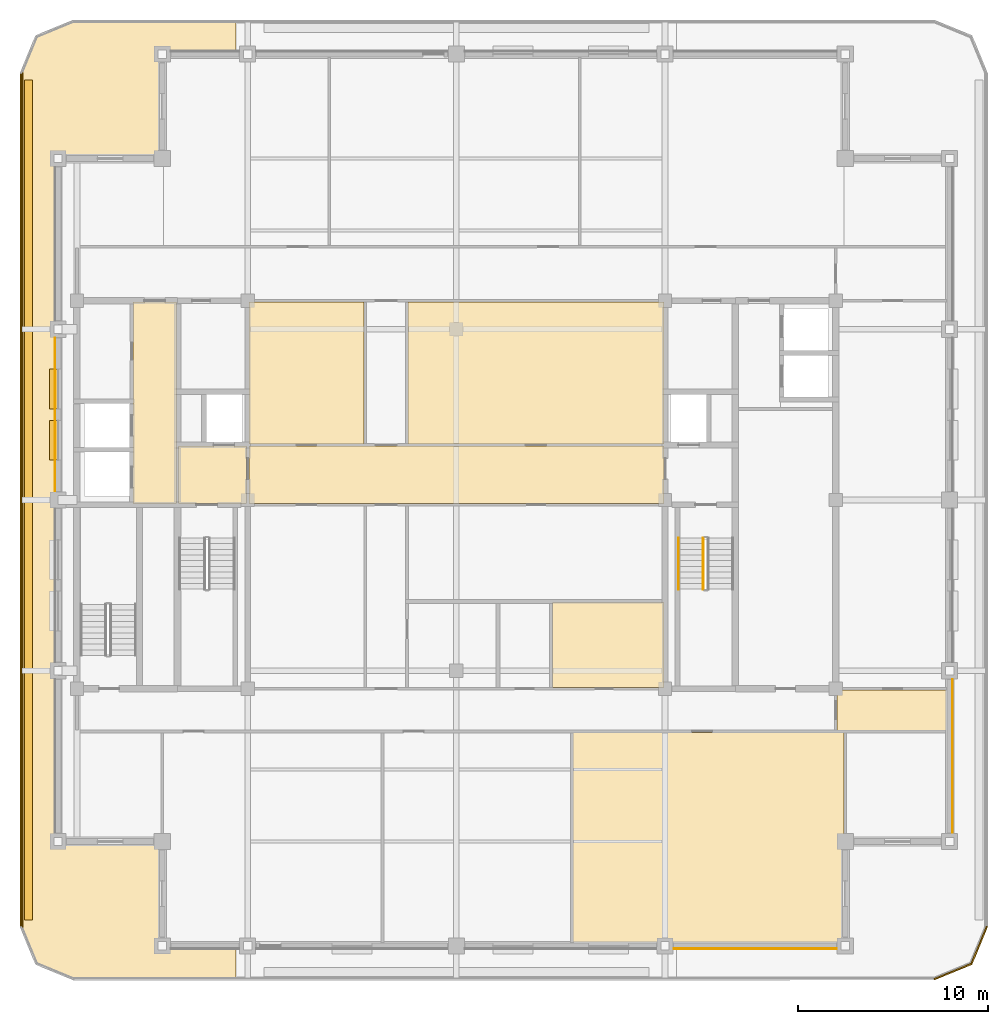
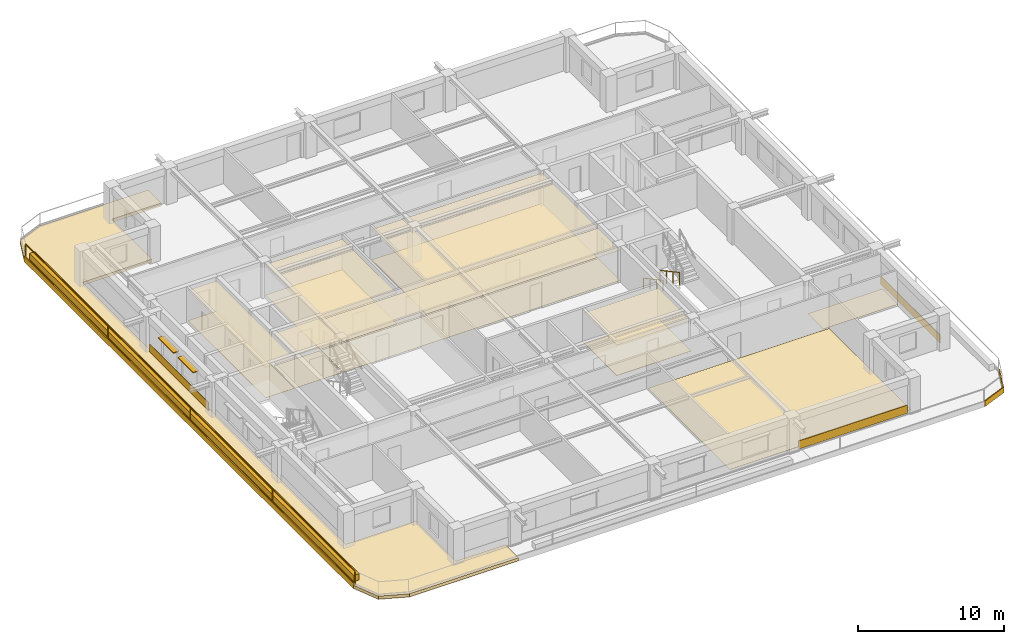
# One storey, part 9 of 11: 22 coverings, 3 railings, 2 shading devices.
"""IFC4 building model written with IfcOpenShell, lengths in metres."""

from ifc_helpers import new_model, si_unit, direction, frame, frame_2d, origin, origin_2d, place, context, subcontext, project, spatial, polyline, rectangle, outline, extrude, material, layer, layer_set, type_object, element, save


model = new_model("IFC4")

# Units and contexts
model_context = context("Model", 3, precision=1e-05, world=origin(), true_north=direction((0.0, 1.0)))
body_context = subcontext(model_context, "Body", "Model", "MODEL_VIEW")
ifc_project = project(units=[si_unit("LENGTHUNIT", "METRE"), si_unit("AREAUNIT", "SQUARE_METRE"), si_unit("VOLUMEUNIT", "CUBIC_METRE"), si_unit("PLANEANGLEUNIT", "RADIAN"), si_unit("MASSUNIT", "GRAM", prefix="KILO")], contexts=[model_context])

# Site, building, storey
site_placement = place(None, origin())
site = spatial("IfcSite", under=ifc_project, at=site_placement, CompositionType="ELEMENT")
building_placement = place(site_placement, origin())
building = spatial("IfcBuilding", under=site, at=building_placement, Name="Zulmaris Gate Convention Tower", CompositionType="ELEMENT")
storey_placement = place(building_placement, frame((0.0, 0.0, 236.510009765625)))
storey = spatial("IfcBuildingStorey", under=building, at=storey_placement, Name="L62", CompositionType="ELEMENT", Elevation=236.510009765625)

# Coverings
ifc_material_1 = material(Name="Precast concrete C40/50", Category="concrete")
ifc_layer_1 = layer(ifc_material_1, 0.0400390625, Name="Precast concrete C40/50")
ifc_layer_set_1 = layer_set([ifc_layer_1], Name="Precast concrete C40/50")
covering_type_1 = type_object("IfcCoveringType", Name="CLAD-SPANDREL-PRECAST", PredefinedType="CLADDING", material=ifc_layer_set_1)
covering_1_placement = place(storey_placement, frame((11.455078125, -23.64990234375, 0.0), z_axis=(0.0, 0.0, 1.0), x_axis=(1.0, 0.0, 0.0)))
element("IfcCovering", 1, at=covering_1_placement, inside=storey, type_object=covering_type_1, Name="CLD-L62-S-3_0", PredefinedType="CLADDING", context=body_context, shape_type="SweptSolid", body=[
    extrude(rectangle(XDim=8.58984375, YDim=0.0400390625, at=frame_2d((4.294921875, 0.0))), origin(), (0.0, 0.0, 1.0), 0.679931640625),
])
for number, where, z_axis, x_axis, name in (
    (2, (26.14990234375, -17.544921875, 0.0), (0.0, 0.0, 1.0), (0.0, 1.0, 0.0), "CLD-L62-E-0_0"),
    (3, (-21.14990234375, 8.544921875, 0.0), (0.0, 0.0, 1.0), (0.0, -1.0, 0.0), "CLD-L62-W-2_0"),
):
    element("IfcCovering", number, at=place(storey_placement, frame(where, z_axis=z_axis, x_axis=x_axis)), inside=storey, type_object=covering_type_1, Name=name, PredefinedType="CLADDING", context=body_context, shape_type="SweptSolid", body=[
        extrude(rectangle(XDim=8.08984375, YDim=0.0400390625, at=frame_2d((4.044921875, 0.0))), origin(), (0.0, 0.0, 1.0), 0.679931640625),
    ])
ifc_material_2 = material(Name="White Glazed Architectural Precast Concrete C40/50", Category="concrete")
ifc_layer_2 = layer(ifc_material_2, 0.239990234375, Name="White Glazed Architectural Precast Concrete C40/50")
ifc_layer_set_2 = layer_set([ifc_layer_2], Name="White Glazed Architectural Precast Concrete C40/50")
covering_type_2 = type_object("IfcCoveringType", Name="CLAD-TRAY-DECK", PredefinedType="CLADDING", material=ifc_layer_set_2)
covering_2_placement = place(storey_placement, frame((0.0, 0.0, -0.25)))
element("IfcCovering", 4, at=covering_2_placement, inside=storey, type_object=covering_type_2, Name="L62 West Rounded-Fascia Planter Tray Deck", PredefinedType="CLADDING", context=body_context, shape_type="SweptSolid", body=[
    extrude(outline(polyline([(-23.0, 22.5), (-22.179931640625, 24.47998046875), (-20.199951171875, 25.300048828125), (-11.60205078125, 25.300048828125), (-11.60205078125, 23.5), (-15.5, 23.5), (-15.5, 18.0), (-21.0, 18.0), (-21.0, -18.0), (-15.5, -18.0), (-15.5, -23.5), (-11.60205078125, -23.5), (-11.60205078125, -25.300048828125), (-20.199951171875, -25.300048828125), (-22.179931640625, -24.47998046875), (-23.0, -22.5), (-23.0, 22.5)])), origin(), (0.0, 0.0, 1.0), 0.260009765625),
])
ifc_layer_3 = layer(ifc_material_2, 0.080078125, Name="White Glazed Architectural Precast Concrete C40/50")
ifc_layer_set_3 = layer_set([ifc_layer_3], Name="White Glazed Architectural Precast Concrete C40/50")
covering_type_3 = type_object("IfcCoveringType", Name="CLAD-TRAY-FASCIA", PredefinedType="CLADDING", material=ifc_layer_set_3)
covering_3_placement = place(storey_placement, frame((25.184814453125, -25.262939453125, -0.2900390625), z_axis=(0.0, 0.0, 1.0), x_axis=(0.923873803533, 0.382697263049, 0.0)))
element("IfcCovering", 5, at=covering_3_placement, inside=storey, type_object=covering_type_3, Name="FSC-L62-TR-03", PredefinedType="CLADDING", context=body_context, shape_type="SweptSolid", body=[
    extrude(rectangle(XDim=2.142822265625, YDim=0.080078125, at=frame_2d((1.0712890625, 0.0))), origin(), (0.0, 0.0, 1.0), 0.4599609375),
])
covering_4_placement = place(storey_placement, frame((27.142822265625, -24.464599609375, -0.2900390625), z_axis=(0.0, 0.0, 1.0), x_axis=(0.382656984709, 0.923890487046, 0.0)))
element("IfcCovering", 6, at=covering_4_placement, inside=storey, type_object=covering_type_3, Name="FSC-L62-TR-04", PredefinedType="CLADDING", context=body_context, shape_type="SweptSolid", body=[
    extrude(rectangle(XDim=2.14306640625, YDim=0.080078125, at=frame_2d((1.071533203125, 0.0))), origin(), (0.0, 0.0, 1.0), 0.4599609375),
])
covering_5_placement = place(storey_placement, frame((-22.9599609375, 22.5, -0.2900390625), z_axis=(0.0, 0.0, 1.0), x_axis=(0.0, -1.0, 0.0)))
element("IfcCovering", 7, at=covering_5_placement, inside=storey, type_object=covering_type_3, Name="FSC-L62-TR-11", PredefinedType="CLADDING", context=body_context, shape_type="SweptSolid", body=[
    extrude(rectangle(XDim=45.0, YDim=0.080078125, at=frame_2d((22.5, 0.0))), origin(), (0.0, 0.0, 1.0), 0.4599609375),
])
ifc_material_3 = material(Name="Mineral Fibre Acoustic Ceiling Tile")
ifc_layer_4 = layer(ifc_material_3, 0.02001953125, Name="Mineral Fibre Acoustic Ceiling Tile")
ifc_layer_set_4 = layer_set([ifc_layer_4], Name="Mineral Fibre Acoustic Ceiling Tile")
covering_type_4 = type_object("IfcCoveringType", Name="CLG-ACOUSTIC-600", PredefinedType="CEILING", material=ifc_layer_set_4)
covering_6_placement = place(storey_placement, frame((0.0, 0.0, 2.699951171875)))
element("IfcCovering", 8, at=covering_6_placement, inside=storey, type_object=covering_type_4, Name="CLG-L62-R03", PredefinedType="CEILING", context=body_context, shape_type="SweptSolid", body=[
    extrude(outline(polyline([(-14.639892578125, -0.18994140625), (-11.06005859375, -0.18994140625), (-11.06005859375, 2.840087890625), (-14.639892578125, 2.840087890625), (-14.639892578125, -0.18994140625)])), origin(), (0.0, 0.0, 1.0), 0.02001953125),
])
covering_7_placement = place(storey_placement, frame((0.0, 0.0, 2.5380859375)))
element("IfcCovering", 9, at=covering_7_placement, inside=storey, type_object=covering_type_4, Name="CLG-L62-R17", PredefinedType="CEILING", context=body_context, shape_type="SweptSolid", body=[
    extrude(outline(polyline([(-17.0400390625, -0.18994140625), (-14.760009765625, -0.18994140625), (-14.760009765625, 10.43994140625), (-17.0400390625, 10.43994140625), (-17.0400390625, -0.18994140625)])), origin(), (0.0, 0.0, 1.0), 0.02001953125),
])
covering_8_placement = place(storey_placement, frame((0.0, 0.0, 2.5380859375)))
element("IfcCovering", 10, at=covering_8_placement, inside=storey, type_object=covering_type_4, Name="CLG-L62-R27", PredefinedType="CEILING", context=body_context, shape_type="SweptSolid", body=[
    extrude(outline(polyline([(-10.93994140625, -0.18994140625), (10.93994140625, -0.18994140625), (10.93994140625, 2.840087890625), (-10.93994140625, 2.840087890625), (-10.93994140625, -0.18994140625)])), origin(), (0.0, 0.0, 1.0), 0.02001953125),
])
covering_9_placement = place(storey_placement, frame((0.0, 0.0, 2.5380859375)))
element("IfcCovering", 11, at=covering_9_placement, inside=storey, type_object=covering_type_4, Name="CLG-L62-R36", PredefinedType="CEILING", context=body_context, shape_type="SweptSolid", body=[
    extrude(outline(polyline([(-10.93994140625, 2.9599609375), (-4.860107421875, 2.9599609375), (-4.860107421875, 10.43994140625), (-10.93994140625, 10.43994140625), (-10.93994140625, 2.9599609375)])), origin(), (0.0, 0.0, 1.0), 0.02001953125),
])
covering_10_placement = place(storey_placement, frame((0.0, 0.0, 2.5380859375)))
element("IfcCovering", 12, at=covering_10_placement, inside=storey, type_object=covering_type_4, Name="CLG-L62-R37", PredefinedType="CEILING", context=body_context, shape_type="SweptSolid", body=[
    extrude(outline(polyline([(-2.5400390625, 2.9599609375), (10.93994140625, 2.9599609375), (10.93994140625, 10.43994140625), (-2.5400390625, 10.43994140625), (-2.5400390625, 2.9599609375)])), origin(), (0.0, 0.0, 1.0), 0.02001953125),
])
covering_11_placement = place(storey_placement, frame((0.0, 0.0, 2.5380859375)))
element("IfcCovering", 13, at=covering_11_placement, inside=storey, type_object=covering_type_4, Name="CLG-L62-R42", PredefinedType="CEILING", context=body_context, shape_type="SweptSolid", body=[
    extrude(outline(polyline([(5.06005859375, -9.889892578125), (10.93994140625, -9.889892578125), (10.93994140625, -5.409912109375), (5.06005859375, -5.409912109375), (5.06005859375, -9.889892578125)])), origin(), (0.0, 0.0, 1.0), 0.02001953125),
])
ifc_material_4 = material(Name="Woven Acoustic Wool Carpet Tile")
ifc_layer_5 = layer(ifc_material_4, 0.02001953125, Name="Woven Acoustic Wool Carpet Tile")
ifc_layer_set_5 = layer_set([ifc_layer_5], Name="Woven Acoustic Wool Carpet Tile")
covering_type_5 = type_object("IfcCoveringType", Name="FLR-CARPET-12", PredefinedType="FLOORING", material=ifc_layer_set_5)
covering_12_placement = place(storey_placement, origin())
element("IfcCovering", 14, at=covering_12_placement, inside=storey, type_object=covering_type_5, Name="FLR-L62-R03", PredefinedType="FLOORING", context=body_context, shape_type="SweptSolid", body=[
    extrude(outline(polyline([(-14.639892578125, -0.18994140625), (-11.06005859375, -0.18994140625), (-11.06005859375, 2.840087890625), (-14.639892578125, 2.840087890625), (-14.639892578125, -0.18994140625)])), origin(), (0.0, 0.0, 1.0), 0.02001953125),
])
covering_13_placement = place(storey_placement, origin())
element("IfcCovering", 15, at=covering_13_placement, inside=storey, type_object=covering_type_5, Name="FLR-L62-R17", PredefinedType="FLOORING", context=body_context, shape_type="SweptSolid", body=[
    extrude(outline(polyline([(-17.0400390625, -0.18994140625), (-14.760009765625, -0.18994140625), (-14.760009765625, 10.43994140625), (-17.0400390625, 10.43994140625), (-17.0400390625, -0.18994140625)])), origin(), (0.0, 0.0, 1.0), 0.02001953125),
])
covering_14_placement = place(storey_placement, origin())
element("IfcCovering", 16, at=covering_14_placement, inside=storey, type_object=covering_type_5, Name="FLR-L62-R27", PredefinedType="FLOORING", context=body_context, shape_type="SweptSolid", body=[
    extrude(outline(polyline([(-10.93994140625, -0.18994140625), (10.93994140625, -0.18994140625), (10.93994140625, 2.840087890625), (-10.93994140625, 2.840087890625), (-10.93994140625, -0.18994140625)])), origin(), (0.0, 0.0, 1.0), 0.02001953125),
])
covering_15_placement = place(storey_placement, origin())
element("IfcCovering", 17, at=covering_15_placement, inside=storey, type_object=covering_type_5, Name="FLR-L62-R35", PredefinedType="FLOORING", context=body_context, shape_type="SweptSolid", body=[
    extrude(outline(polyline([(6.159912109375, -23.43994140625), (20.43994140625, -23.43994140625), (20.43994140625, -12.260009765625), (6.159912109375, -12.260009765625), (6.159912109375, -23.43994140625)])), origin(), (0.0, 0.0, 1.0), 0.02001953125),
])
covering_16_placement = place(storey_placement, origin())
element("IfcCovering", 18, at=covering_16_placement, inside=storey, type_object=covering_type_5, Name="FLR-L62-R37", PredefinedType="FLOORING", context=body_context, shape_type="SweptSolid", body=[
    extrude(outline(polyline([(-2.5400390625, 2.9599609375), (10.93994140625, 2.9599609375), (10.93994140625, 10.43994140625), (-2.5400390625, 10.43994140625), (-2.5400390625, 2.9599609375)])), origin(), (0.0, 0.0, 1.0), 0.02001953125),
])
covering_17_placement = place(storey_placement, origin())
element("IfcCovering", 19, at=covering_17_placement, inside=storey, type_object=covering_type_5, Name="FLR-L62-R42", PredefinedType="FLOORING", context=body_context, shape_type="SweptSolid", body=[
    extrude(outline(polyline([(5.06005859375, -9.889892578125), (10.93994140625, -9.889892578125), (10.93994140625, -5.409912109375), (5.06005859375, -5.409912109375), (5.06005859375, -9.889892578125)])), origin(), (0.0, 0.0, 1.0), 0.02001953125),
])
covering_18_placement = place(storey_placement, origin())
element("IfcCovering", 20, at=covering_18_placement, inside=storey, type_object=covering_type_5, Name="FLR-L62-R44", PredefinedType="FLOORING", context=body_context, shape_type="SweptSolid", body=[
    extrude(outline(polyline([(20.06005859375, -12.139892578125), (25.93994140625, -12.139892578125), (25.93994140625, -10.010009765625), (20.06005859375, -10.010009765625), (20.06005859375, -12.139892578125)])), origin(), (0.0, 0.0, 1.0), 0.02001953125),
])
ifc_material_5 = material(Name="Polished Granite Terrazzo Tile", Category="masonry")
ifc_layer_6 = layer(ifc_material_5, 0.02001953125, Name="Polished Granite Terrazzo Tile")
ifc_layer_set_6 = layer_set([ifc_layer_6], Name="Polished Granite Terrazzo Tile")
covering_type_6 = type_object("IfcCoveringType", Name="FLR-TERRAZZO-30", PredefinedType="FLOORING", material=ifc_layer_set_6)
covering_19_placement = place(storey_placement, origin())
element("IfcCovering", 21, at=covering_19_placement, inside=storey, type_object=covering_type_6, Name="FLR-L62-R36", PredefinedType="FLOORING", context=body_context, shape_type="SweptSolid", body=[
    extrude(outline(polyline([(-10.93994140625, 2.9599609375), (-4.860107421875, 2.9599609375), (-4.860107421875, 10.43994140625), (-10.93994140625, 10.43994140625), (-10.93994140625, 2.9599609375)])), origin(), (0.0, 0.0, 1.0), 0.02001953125),
])
ifc_material_6 = material(Name="Botanical Green Glazed Precast Concrete C40/50", Category="concrete")
ifc_layer_7 = layer(ifc_material_6, 0.419921875, Name="Botanical Green Glazed Precast Concrete C40/50")
ifc_layer_set_7 = layer_set([ifc_layer_7], Name="Botanical Green Glazed Precast Concrete C40/50")
covering_type_7 = type_object("IfcCoveringType", Name="PLANTER-BOX-200", PredefinedType="CLADDING", material=ifc_layer_set_7)
covering_20_placement = place(storey_placement, frame((0.0, 0.0, 0.010009765625)))
element("IfcCovering", 22, at=covering_20_placement, inside=storey, type_object=covering_type_7, Name="L62 W Full-Length Balcony Tree Planter Trough", PredefinedType="CLADDING", context=body_context, shape_type="SweptSolid", body=[
    extrude(outline(polyline([(-22.760009765625, -22.14990234375), (-22.340087890625, -22.14990234375), (-22.340087890625, 22.14990234375), (-22.760009765625, 22.14990234375), (-22.760009765625, -22.14990234375)])), origin(), (0.0, 0.0, 1.0), 0.52001953125),
])

# Railings
ifc_material_7 = material(Name="Laminated Glass and Stainless Steel", Category="steel")
railing_type_1 = type_object("IfcRailingType", Name="RL-BALC-1150", PredefinedType="BALUSTRADE", material=ifc_material_7)
railing_1_placement = place(storey_placement, frame((-22.8798828125, 22.5, 0.010009765625)))
element("IfcRailing", 23, at=railing_1_placement, inside=storey, type_object=railing_type_1, Name="RL-L62-BALC-W", PredefinedType="BALUSTRADE", context=body_context, shape_type="SweptSolid", body=[
    extrude(rectangle(XDim=0.048095703125, YDim=0.048095703125, at=origin_2d()), frame((0.0, 0.0, 1.1259765625), z_axis=(0.0, -1.0, 0.0), x_axis=(1.0, 0.0, 0.0)), (0.0, 0.0, 1.0), 45.0),
    extrude(rectangle(XDim=0.048095703125, YDim=0.048095703125, at=origin_2d()), frame((0.0, 0.0, 0.02392578125), z_axis=(0.0, -1.0, 0.0), x_axis=(1.0, 0.0, 0.0)), (0.0, 0.0, 1.0), 45.0),
    extrude(rectangle(XDim=0.0419921875, YDim=0.0419921875, at=origin_2d()), origin(), (0.0, 0.0, 1.0), 1.101806640625),
    extrude(rectangle(XDim=0.0419921875, YDim=0.0419921875, at=origin_2d()), frame((0.0, -11.25, 0.0)), (0.0, 0.0, 1.0), 1.101806640625),
    extrude(rectangle(XDim=0.0419921875, YDim=0.0419921875, at=origin_2d()), frame((0.0, -22.5, 0.0)), (0.0, 0.0, 1.0), 1.101806640625),
    extrude(rectangle(XDim=0.0419921875, YDim=0.0419921875, at=origin_2d()), frame((0.0, -33.75, 0.0)), (0.0, 0.0, 1.0), 1.101806640625),
    extrude(rectangle(XDim=0.0419921875, YDim=0.0419921875, at=origin_2d()), frame((0.0, -45.0, 0.0)), (0.0, 0.0, 1.0), 1.101806640625),
])
ifc_material_8 = material(Name="Painted Galvanised Steel", Category="steel")
railing_type_2 = type_object("IfcRailingType", Name="RL-STG-1150", PredefinedType="GUARDRAIL", material=ifc_material_8)
railing_2_placement = place(storey_placement, frame((13.010009765625, -2.0, 0.161376953125)))
element("IfcRailing", 24, at=railing_2_placement, inside=storey, type_object=railing_type_2, Name="L62 ST-2 stair guard 1", PredefinedType="GUARDRAIL", context=body_context, shape_type="SweptSolid", body=[
    extrude(rectangle(XDim=0.048095703125, YDim=0.048095703125, at=origin_2d()), frame((0.0, 0.0, 1.076171875), z_axis=(0.0, -0.880499220447, 0.474047595492), x_axis=(1.0, 0.0, 0.0)), (0.0, 0.0, 1.0), 3.06640625),
    extrude(rectangle(XDim=0.0419921875, YDim=0.0419921875, at=origin_2d()), origin(), (0.0, 0.0, 1.0), 1.052001953125),
    extrude(rectangle(XDim=0.0419921875, YDim=0.0419921875, at=origin_2d()), frame((0.0, -0.89990234375, 0.484619140625)), (0.0, 0.0, 1.0), 1.052001953125),
    extrude(rectangle(XDim=0.0419921875, YDim=0.0419921875, at=origin_2d()), frame((0.0, -1.800048828125, 0.968994140625)), (0.0, 0.0, 1.0), 1.052001953125),
    extrude(rectangle(XDim=0.0419921875, YDim=0.0419921875, at=origin_2d()), frame((0.0, -2.699951171875, 1.45361328125)), (0.0, 0.0, 1.0), 1.052001953125),
])
ifc_material_9 = material(Name="Brushed Stainless Steel", Category="steel")
railing_type_3 = type_object("IfcRailingType", Name="RL-STH-900", PredefinedType="HANDRAIL", material=ifc_material_9)
railing_3_placement = place(storey_placement, frame((11.7099609375, -2.0, 0.161376953125)))
element("IfcRailing", 25, at=railing_3_placement, inside=storey, type_object=railing_type_3, Name="L62 ST-2 stair handrail 1", PredefinedType="HANDRAIL", context=body_context, shape_type="SweptSolid", body=[
    extrude(rectangle(XDim=0.048095703125, YDim=0.048095703125, at=origin_2d()), frame((0.0, 0.0, 0.8759765625), z_axis=(0.0, -0.880499220447, 0.474047595492), x_axis=(1.0, 0.0, 0.0)), (0.0, 0.0, 1.0), 3.06640625),
    extrude(rectangle(XDim=0.0419921875, YDim=0.0419921875, at=origin_2d()), origin(), (0.0, 0.0, 1.0), 0.851806640625),
    extrude(rectangle(XDim=0.0419921875, YDim=0.0419921875, at=origin_2d()), frame((0.0, -0.89990234375, 0.484619140625)), (0.0, 0.0, 1.0), 0.851806640625),
    extrude(rectangle(XDim=0.0419921875, YDim=0.0419921875, at=origin_2d()), frame((0.0, -1.800048828125, 0.968994140625)), (0.0, 0.0, 1.0), 0.851806640625),
    extrude(rectangle(XDim=0.0419921875, YDim=0.0419921875, at=origin_2d()), frame((0.0, -2.699951171875, 1.45361328125)), (0.0, 0.0, 1.0), 0.851806640625),
])

# Shading devices
ifc_material_10 = material(Name="Glazed Ceramic Terracotta", Category="masonry")
ifc_layer_8 = layer(ifc_material_10, 0.070068359375, Name="Glazed Ceramic Terracotta")
ifc_layer_set_8 = layer_set([ifc_layer_8], Name="Glazed Ceramic Terracotta")
shading_device_type = type_object("IfcShadingDeviceType", Name="SHD-SUNSHADE-TC", PredefinedType="AWNING", material=ifc_layer_set_8)
for number, where, z_axis, x_axis, name in (
    (26, (-21.219970703125, 6.89794921875, 2.22998046875), (0.0, 0.0, 1.0), (0.0, -1.0, 0.0), "SHD-EW-L62-W-2_0-1"),
    (27, (-21.219970703125, 4.201904296875, 2.22998046875), (0.0, 0.0, 1.0), (0.0, -1.0, 0.0), "SHD-EW-L62-W-2_0-2"),
):
    element("IfcShadingDevice", number, at=place(storey_placement, frame(where, z_axis=z_axis, x_axis=x_axis)), inside=storey, type_object=shading_device_type, Name=name, PredefinedType="AWNING", context=body_context, shape_type="SweptSolid", body=[
        extrude(rectangle(XDim=2.099853515625, YDim=0.43994140625, at=frame_2d((1.0498046875, 0.0))), origin(), (0.0, 0.0, 1.0), 0.070068359375),
    ])

save(model, "model.ifc")
